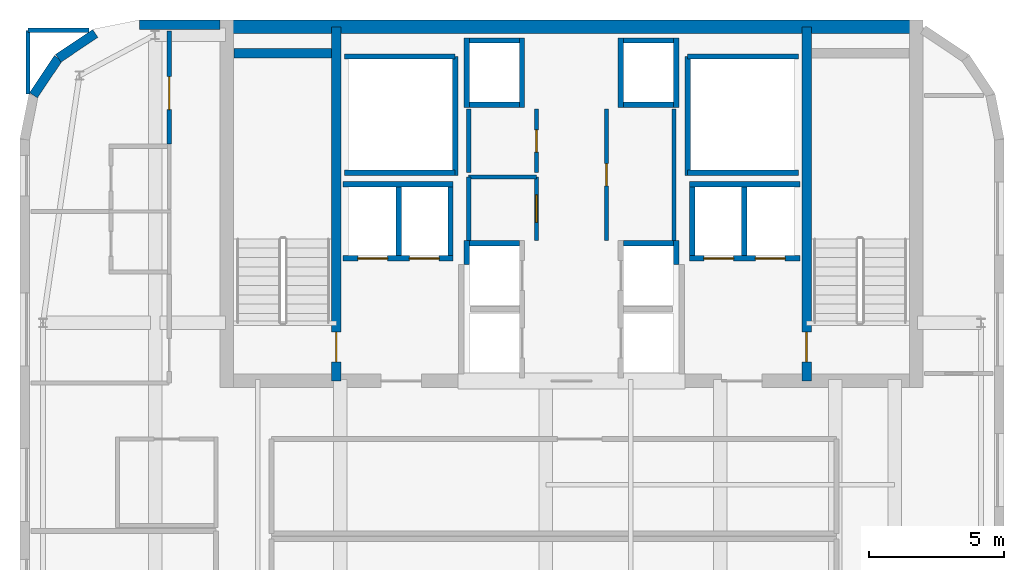
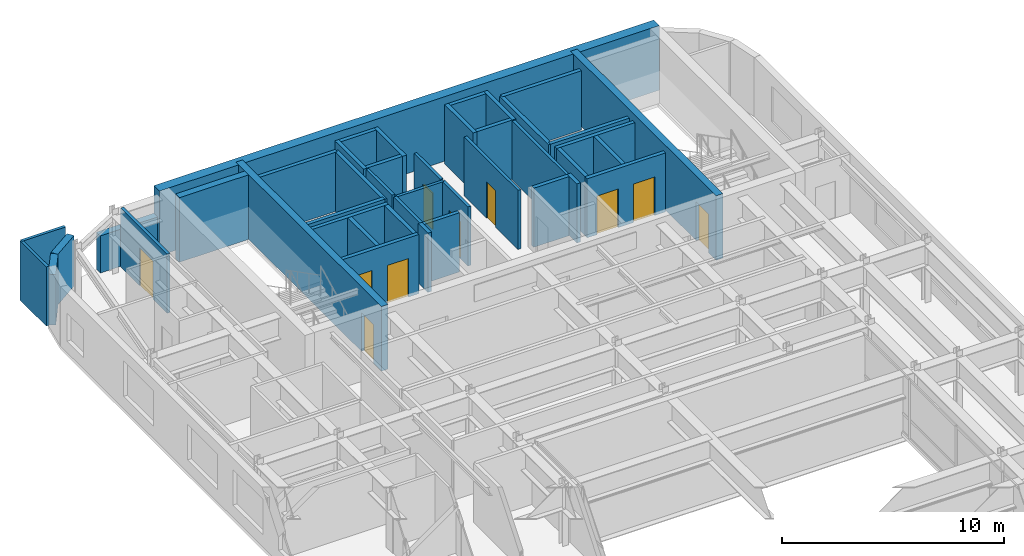
# One storey, part 19 of 21: 43 walls, 10 doors, 10 openings.
"""IFC4 building model written with IfcOpenShell, lengths in metres."""

from ifc_helpers import new_model, si_unit, direction, frame, frame_2d, origin, place, context, subcontext, project, spatial, rectangle, extrude, source, transform, mapped, material, layer, layer_set, type_object, type_shapes, element, fill, save


model = new_model("IFC4")

# Units and contexts
model_context = context("Model", 3, precision=1e-05, world=origin(), true_north=direction((0.0, 1.0)))
body_context = subcontext(model_context, "Body", "Model", "MODEL_VIEW")
ifc_project = project(units=[si_unit("LENGTHUNIT", "METRE"), si_unit("AREAUNIT", "SQUARE_METRE"), si_unit("VOLUMEUNIT", "CUBIC_METRE"), si_unit("PLANEANGLEUNIT", "RADIAN"), si_unit("MASSUNIT", "GRAM", prefix="KILO")], contexts=[model_context])

# Site, building, storey
site_placement = place(None, origin())
site = spatial("IfcSite", under=ifc_project, at=site_placement, CompositionType="ELEMENT")
building_placement = place(site_placement, origin())
building = spatial("IfcBuilding", under=site, at=building_placement, Name="Tolvann Quenvar Hotel", CompositionType="ELEMENT")
storey_placement = place(building_placement, frame((0.0, 0.0, 266.5)))
storey = spatial("IfcBuildingStorey", under=building, at=storey_placement, Name="L71", CompositionType="ELEMENT", Elevation=266.5)

# Wall
ifc_material_1 = material(Name="Concrete N50 (50 MPa)", Category="concrete")
ifc_layer_1 = layer(ifc_material_1, 0.5)
ifc_layer_set_1 = layer_set([ifc_layer_1], Name="Concrete N50 (50 MPa)")
wall_type_1 = type_object("IfcWallType", Name="WALL_CORE_500", PredefinedType="SHEAR", material=ifc_layer_set_1)
wall_1_placement = place(storey_placement, frame((10.0, 44.949951171875, 0.0), z_axis=(0.0, 0.0, 1.0), x_axis=(1.0, 0.0, 0.0)))
element("IfcWall", 1, at=wall_1_placement, inside=storey, type_object=wall_type_1, Name="Rear Core N Shear Wall (L71)", PredefinedType="SHEAR", context=body_context, shape_type="SweptSolid", body=[
    extrude(rectangle(XDim=26.0, YDim=0.5, at=frame_2d((13.0, 0.0))), origin(), (0.0, 0.0, 1.0), 3.550048828125),
])

# Wall, opening, door
ifc_material_2 = material(Name="Concrete S65 (65 MPa)", Category="concrete")
ifc_layer_2 = layer(ifc_material_2, 0.35009765625)
ifc_layer_set_2 = layer_set([ifc_layer_2], Name="Concrete S65 (65 MPa)")
wall_type_2 = type_object("IfcWallType", Name="WALL_CORE_INT_350", PredefinedType="SHEAR", material=ifc_layer_set_2)
wall_2_placement = place(storey_placement, frame((14.300048828125, 31.85009765625, 0.0), z_axis=(0.0, 0.0, 1.0), x_axis=(0.0, 1.0, 0.0)))
wall_2 = element("IfcWall", 2, at=wall_2_placement, inside=storey, type_object=wall_type_2, Name="Core Internal Web Shear Wall WEB-W (L71)", PredefinedType="SHEAR", context=body_context, shape_type="SweptSolid", body=[
    extrude(rectangle(XDim=13.099853515625, YDim=0.35009765625, at=frame_2d((6.5498046875, 0.0))), origin(), (0.0, 0.0, 1.0), 3.550048828125),
])
opening_1_placement = place(wall_2_placement, frame((0.699951171875, 0.0, 0.0)))
opening_1 = element("IfcOpeningElement", 3, at=opening_1_placement, cuts=wall_2, Name="Opening FD-120", PredefinedType="OPENING", context=body_context, shape_type="SweptSolid", body=[
    extrude(rectangle(XDim=1.10009765625, YDim=2.1201171875, at=frame_2d((0.550048828125, 1.06005859375))), frame((0.0, 0.18505859375, 0.0), z_axis=(0.0, -1.0, 0.0), x_axis=(1.0, 0.0, 0.0)), (0.0, 0.0, 1.0), 0.3701171875),
])
ifc_material_3 = material(Name="Pressed galvanised steel fire-rated door set", Category="steel")
door_type_1 = type_object("IfcDoorType", Name="DOOR_FIRE_STAIR_1100", OperationType="NOTDEFINED", PredefinedType="DOOR", material=ifc_material_3)
shared_shape_1 = source(origin(), body_context, "Body", "SweptSolid", [
    extrude(rectangle(XDim=1.10009765625, YDim=2.1201171875, at=frame_2d((0.550048828125, 1.06005859375))), frame((0.0, 0.02490234375, 0.0), z_axis=(0.0, -1.0, 0.0), x_axis=(1.0, 0.0, 0.0)), (0.0, 0.0, 1.0), 0.050048828125),
])
type_shapes(door_type_1, [shared_shape_1])
door_1_placement = place(opening_1_placement, origin())
door_1 = element("IfcDoor", 4, at=door_1_placement, inside=storey, type_object=door_type_1, Name="Exit Stair ST-C1 Fire Door (L71)", OperationType="SINGLE_SWING_LEFT", OverallHeight=2.1201171875, OverallWidth=1.10009765625, PredefinedType="DOOR", context=body_context, shape_type="MappedRepresentation", body=[
    mapped(shared_shape_1, transform((0.0, 0.0, 0.0), x_axis=(1.0, 0.0, 0.0), y_axis=(0.0, 1.0, 0.0), z_axis=(0.0, 0.0, 1.0), scale=1.0)),
])
fill(opening_1, door_1)

wall_3_placement = place(storey_placement, frame((31.699951171875, 31.85009765625, 0.0), z_axis=(0.0, 0.0, 1.0), x_axis=(0.0, 1.0, 0.0)))
wall_3 = element("IfcWall", 5, at=wall_3_placement, inside=storey, type_object=wall_type_2, Name="Core Internal Web Shear Wall WEB-E (L71)", PredefinedType="SHEAR", context=body_context, shape_type="SweptSolid", body=[
    extrude(rectangle(XDim=13.099853515625, YDim=0.35009765625, at=frame_2d((6.5498046875, 0.0))), origin(), (0.0, 0.0, 1.0), 3.550048828125),
])
opening_2_placement = place(wall_3_placement, frame((1.800048828125, 0.0, 0.0), z_axis=(0.0, 0.0, 1.0), x_axis=(-1.0, 0.0, 0.0)))
opening_2 = element("IfcOpeningElement", 6, at=opening_2_placement, cuts=wall_3, Name="Opening FD-120", PredefinedType="OPENING", context=body_context, shape_type="SweptSolid", body=[
    extrude(rectangle(XDim=1.10009765625, YDim=2.1201171875, at=frame_2d((0.550048828125, 1.06005859375))), frame((0.0, 0.18505859375, 0.0), z_axis=(0.0, -1.0, 0.0), x_axis=(1.0, 0.0, 0.0)), (0.0, 0.0, 1.0), 0.3701171875),
])
door_2_placement = place(opening_2_placement, origin())
door_2 = element("IfcDoor", 7, at=door_2_placement, inside=storey, type_object=door_type_1, Name="Exit Stair ST-C2 Fire Door (L71)", OperationType="SINGLE_SWING_RIGHT", OverallHeight=2.1201171875, OverallWidth=1.10009765625, PredefinedType="DOOR", context=body_context, shape_type="MappedRepresentation", body=[
    mapped(shared_shape_1, transform((0.0, 0.0, 0.0), x_axis=(1.0, 0.0, 0.0), y_axis=(0.0, 1.0, 0.0), z_axis=(0.0, 0.0, 1.0), scale=1.0)),
])
fill(opening_2, door_2)

# Walls
wall_4_placement = place(storey_placement, frame((10.52001953125, 43.97509765625, 0.0), z_axis=(0.0, 0.0, 1.0), x_axis=(1.0, 0.0, 0.0)))
element("IfcWall", 8, at=wall_4_placement, inside=storey, type_object=wall_type_2, Name="Core Stair North Closing Shear Wall STC1-N (L71)", PredefinedType="SHEAR", context=body_context, shape_type="SweptSolid", body=[
    extrude(rectangle(XDim=3.60009765625, YDim=0.35009765625, at=frame_2d((1.800048828125, 0.0))), origin(), (0.0, 0.0, 1.0), 3.550048828125),
])
ifc_material_4 = material(Name="Kiln-fired red and buff architectural clay brickwork and terracotta masonry", Category="masonry")
ifc_layer_3 = layer(ifc_material_4, 0.35009765625)
ifc_layer_set_3 = layer_set([ifc_layer_3], Name="Kiln-fired red and buff architectural clay brickwork and terracotta masonry")
wall_type_3 = type_object("IfcWallType", Name="WALL_EXT_BRICK_350", PredefinedType="SOLIDWALL", material=ifc_layer_set_3)
wall_5_placement = place(storey_placement, frame((9.99609375, 45.02490234375, 0.0), z_axis=(0.0, 0.0, 1.0), x_axis=(-1.0, 0.0, 0.0)))
element("IfcWall", 9, at=wall_5_placement, inside=storey, type_object=wall_type_3, Name="Exterior Chicago Brick Wall L71-E18NW", PredefinedType="SOLIDWALL", context=body_context, shape_type="SweptSolid", body=[
    extrude(rectangle(XDim=2.97900390625, YDim=0.35009765625, at=frame_2d((1.489501953125, 0.0))), origin(), (0.0, 0.0, 1.0), 2.0400390625),
])
for number, where, z_axis, x_axis, name in (
    (10, (5.384521484375, 44.7001953125, 0.0), (0.0, 0.0, 1.0), (-0.831502623162, -0.555520825599, 0.0), "Exterior Chicago Brick Wall L71-E20"),
    (11, (4.014892578125, 43.78515625, 0.0), (0.0, 0.0, 1.0), (-0.555623290322, -0.831434158098, 0.0), "Exterior Chicago Brick Wall L71-E21"),
):
    element("IfcWall", number, at=place(storey_placement, frame(where, z_axis=z_axis, x_axis=x_axis)), inside=storey, type_object=wall_type_3, Name=name, PredefinedType="SOLIDWALL", context=body_context, shape_type="SweptSolid", body=[
        extrude(rectangle(XDim=1.647216796875, YDim=0.35009765625, at=frame_2d((0.82373046875, 0.0))), origin(), (0.0, 0.0, 1.0), 2.780029296875),
    ])

# Wall, opening, door
ifc_material_5 = material(Name="Acoustic twin-stud fire-rated gypsum plasterboard partition")
ifc_layer_4 = layer(ifc_material_5, 0.14990234375)
ifc_layer_set_4 = layer_set([ifc_layer_4], Name="Acoustic twin-stud fire-rated gypsum plasterboard partition")
wall_type_4 = type_object("IfcWallType", Name="WALL_PART_SUITE_150", PredefinedType="PARTITIONING", material=ifc_layer_set_4)
wall_6_placement = place(storey_placement, frame((21.699951171875, 37.050048828125, 0.0), z_axis=(0.0, 0.0, 1.0), x_axis=(0.0, 1.0, 0.0)))
wall_6 = element("IfcWall", 12, at=wall_6_placement, inside=storey, type_object=wall_type_4, Name="Interior Partition PT-SPC-L71-RECPM-1-ENT", PredefinedType="PARTITIONING", context=body_context, shape_type="SweptSolid", body=[
    extrude(rectangle(XDim=2.349853515625, YDim=0.14990234375, at=frame_2d((1.1748046875, 0.0))), origin(), (0.0, 0.0, 1.0), 3.25),
])
opening_3_placement = place(wall_6_placement, frame((0.6650390625, 0.0, 0.0)))
opening_3 = element("IfcOpeningElement", 13, at=opening_3_placement, cuts=wall_6, Name="Opening HD-01", PredefinedType="OPENING", context=body_context, shape_type="SweptSolid", body=[
    extrude(rectangle(XDim=1.02001953125, YDim=2.030029296875, at=frame_2d((0.510009765625, 1.01513671875))), frame((0.0, 0.0849609375, 0.0), z_axis=(0.0, -1.0, 0.0), x_axis=(1.0, 0.0, 0.0)), (0.0, 0.0, 1.0), 0.169921875),
])
door_type_2 = type_object("IfcDoorType", Name="DOOR_BOH_1020", OperationType="NOTDEFINED", PredefinedType="DOOR", material=ifc_material_3)
shared_shape_2 = source(origin(), body_context, "Body", "SweptSolid", [
    extrude(rectangle(XDim=1.02001953125, YDim=2.030029296875, at=frame_2d((0.510009765625, 1.01513671875))), frame((0.0, 0.02490234375, 0.0), z_axis=(0.0, -1.0, 0.0), x_axis=(1.0, 0.0, 0.0)), (0.0, 0.0, 1.0), 0.050048828125),
])
type_shapes(door_type_2, [shared_shape_2])
door_3_placement = place(opening_3_placement, origin())
door_3 = element("IfcDoor", 14, at=door_3_placement, inside=storey, type_object=door_type_2, Name="Interior Door DOOR-SPC-L71-RECPM-1", OperationType="SINGLE_SWING_RIGHT", OverallHeight=2.030029296875, OverallWidth=1.02001953125, PredefinedType="DOOR", context=body_context, shape_type="MappedRepresentation", body=[
    mapped(shared_shape_2, transform((0.0, 0.0, 0.0), x_axis=(1.0, 0.0, 0.0), y_axis=(0.0, 1.0, 0.0), z_axis=(0.0, 0.0, 1.0), scale=1.0)),
])
fill(opening_3, door_3)

# Walls
wall_7_placement = place(storey_placement, frame((19.199951171875, 39.39990234375, 0.0), z_axis=(0.0, 0.0, 1.0), x_axis=(1.0, 0.0, 0.0)))
element("IfcWall", 15, at=wall_7_placement, inside=storey, type_object=wall_type_4, Name="Interior Partition PT-SPC-L71-RECPM-1-N", PredefinedType="PARTITIONING", context=body_context, shape_type="SweptSolid", body=[
    extrude(rectangle(XDim=2.5, YDim=0.14990234375, at=frame_2d((1.25, 0.0))), origin(), (0.0, 0.0, 1.0), 3.25),
])
wall_8_placement = place(storey_placement, frame((19.199951171875, 37.0400390625, 0.0), z_axis=(0.0, 0.0, 1.0), x_axis=(0.0, 1.0, 0.0)))
element("IfcWall", 16, at=wall_8_placement, inside=storey, type_object=wall_type_4, Name="Interior Partition PT-SPC-L71-RECPM-1-W", PredefinedType="PARTITIONING", context=body_context, shape_type="SweptSolid", body=[
    extrude(rectangle(XDim=2.35986328125, YDim=0.14990234375, at=frame_2d((1.179931640625, 0.0))), origin(), (0.0, 0.0, 1.0), 3.25),
])

# Wall, opening, door
wall_9_placement = place(storey_placement, frame((21.699951171875, 39.550048828125, 0.0), z_axis=(0.0, 0.0, 1.0), x_axis=(0.0, 1.0, 0.0)))
wall_9 = element("IfcWall", 17, at=wall_9_placement, inside=storey, type_object=wall_type_4, Name="Interior Partition PT-SPC-L71-RECPM-2-ENT", PredefinedType="PARTITIONING", context=body_context, shape_type="SweptSolid", body=[
    extrude(rectangle(XDim=2.349853515625, YDim=0.14990234375, at=frame_2d((1.1748046875, 0.0))), origin(), (0.0, 0.0, 1.0), 3.25),
])
opening_4_placement = place(wall_9_placement, frame((0.764892578125, 0.0, 0.0)))
opening_4 = element("IfcOpeningElement", 18, at=opening_4_placement, cuts=wall_9, Name="Opening HD-02", PredefinedType="OPENING", context=body_context, shape_type="SweptSolid", body=[
    extrude(rectangle(XDim=0.820068359375, YDim=2.010009765625, at=frame_2d((0.41015625, 1.0048828125))), frame((0.0, 0.0849609375, 0.0), z_axis=(0.0, -1.0, 0.0), x_axis=(1.0, 0.0, 0.0)), (0.0, 0.0, 1.0), 0.169921875),
])
door_type_3 = type_object("IfcDoorType", Name="DOOR_STORE_820", OperationType="NOTDEFINED", PredefinedType="DOOR", material=ifc_material_3)
shared_shape_3 = source(origin(), body_context, "Body", "SweptSolid", [
    extrude(rectangle(XDim=0.820068359375, YDim=2.010009765625, at=frame_2d((0.41015625, 1.0048828125))), frame((0.0, 0.02490234375, 0.0), z_axis=(0.0, -1.0, 0.0), x_axis=(1.0, 0.0, 0.0)), (0.0, 0.0, 1.0), 0.050048828125),
])
type_shapes(door_type_3, [shared_shape_3])
door_4_placement = place(opening_4_placement, origin())
door_4 = element("IfcDoor", 19, at=door_4_placement, inside=storey, type_object=door_type_3, Name="Interior Door DOOR-SPC-L71-RECPM-2", OperationType="SINGLE_SWING_LEFT", OverallHeight=2.010009765625, OverallWidth=0.820068359375, PredefinedType="DOOR", context=body_context, shape_type="MappedRepresentation", body=[
    mapped(shared_shape_3, transform((0.0, 0.0, 0.0), x_axis=(1.0, 0.0, 0.0), y_axis=(0.0, 1.0, 0.0), z_axis=(0.0, 0.0, 1.0), scale=1.0)),
])
fill(opening_4, door_4)

# Wall
wall_10_placement = place(storey_placement, frame((19.199951171875, 39.550048828125, 0.0), z_axis=(0.0, 0.0, 1.0), x_axis=(0.0, 1.0, 0.0)))
element("IfcWall", 20, at=wall_10_placement, inside=storey, type_object=wall_type_4, Name="Interior Partition PT-SPC-L71-RECPM-2-W", PredefinedType="PARTITIONING", context=body_context, shape_type="SweptSolid", body=[
    extrude(rectangle(XDim=2.349853515625, YDim=0.14990234375, at=frame_2d((1.1748046875, 0.0))), origin(), (0.0, 0.0, 1.0), 3.25),
])

# Wall, opening, door
wall_11_placement = place(storey_placement, frame((24.300048828125, 37.050048828125, 0.0), z_axis=(0.0, 0.0, 1.0), x_axis=(0.0, 1.0, 0.0)))
wall_11 = element("IfcWall", 21, at=wall_11_placement, inside=storey, type_object=wall_type_4, Name="Interior Partition PT-SPC-L71-RECPM-3-ENT", PredefinedType="PARTITIONING", context=body_context, shape_type="SweptSolid", body=[
    extrude(rectangle(XDim=4.849853515625, YDim=0.14990234375, at=frame_2d((2.4248046875, 0.0))), origin(), (0.0, 0.0, 1.0), 3.25),
])
opening_5_placement = place(wall_11_placement, frame((2.014892578125, 0.0, 0.0)))
opening_5 = element("IfcOpeningElement", 22, at=opening_5_placement, cuts=wall_11, Name="Opening HD-02", PredefinedType="OPENING", context=body_context, shape_type="SweptSolid", body=[
    extrude(rectangle(XDim=0.820068359375, YDim=2.010009765625, at=frame_2d((0.41015625, 1.0048828125))), frame((0.0, 0.0849609375, 0.0), z_axis=(0.0, -1.0, 0.0), x_axis=(1.0, 0.0, 0.0)), (0.0, 0.0, 1.0), 0.169921875),
])
door_5_placement = place(opening_5_placement, origin())
door_5 = element("IfcDoor", 23, at=door_5_placement, inside=storey, type_object=door_type_3, Name="Interior Door DOOR-SPC-L71-RECPM-3", OperationType="SINGLE_SWING_RIGHT", OverallHeight=2.010009765625, OverallWidth=0.820068359375, PredefinedType="DOOR", context=body_context, shape_type="MappedRepresentation", body=[
    mapped(shared_shape_3, transform((0.0, 0.0, 0.0), x_axis=(1.0, 0.0, 0.0), y_axis=(0.0, 1.0, 0.0), z_axis=(0.0, 0.0, 1.0), scale=1.0)),
])
fill(opening_5, door_5)

# Wall
wall_12_placement = place(storey_placement, frame((26.800048828125, 37.0400390625, 0.0), z_axis=(0.0, 0.0, 1.0), x_axis=(0.0, 1.0, 0.0)))
element("IfcWall", 24, at=wall_12_placement, inside=storey, type_object=wall_type_4, Name="Interior Partition PT-SPC-L71-RECPM-3-E", PredefinedType="PARTITIONING", context=body_context, shape_type="SweptSolid", body=[
    extrude(rectangle(XDim=4.85986328125, YDim=0.14990234375, at=frame_2d((2.429931640625, 0.0))), origin(), (0.0, 0.0, 1.0), 3.25),
])

# Wall, opening, door
wall_13_placement = place(storey_placement, frame((8.1201171875, 40.610107421875, 0.0), z_axis=(0.0, 0.0, 1.0), x_axis=(0.0, 1.0, 0.0)))
wall_13 = element("IfcWall", 25, at=wall_13_placement, inside=storey, type_object=wall_type_4, Name="Interior Partition PT-SPC-L71-RM-PNW02-ENT", PredefinedType="PARTITIONING", context=body_context, shape_type="SweptSolid", body=[
    extrude(rectangle(XDim=4.184814453125, YDim=0.14990234375, at=frame_2d((2.09228515625, 0.0))), origin(), (0.0, 0.0, 1.0), 3.25),
])
opening_6_placement = place(wall_13_placement, frame((1.27490234375, 0.0, 0.0)))
opening_6 = element("IfcOpeningElement", 26, at=opening_6_placement, cuts=wall_13, Name="Opening SD-02", PredefinedType="OPENING", context=body_context, shape_type="SweptSolid", body=[
    extrude(rectangle(XDim=1.219970703125, YDim=2.080078125, at=frame_2d((0.60986328125, 1.0400390625))), frame((0.0, 0.0849609375, 0.0), z_axis=(0.0, -1.0, 0.0), x_axis=(1.0, 0.0, 0.0)), (0.0, 0.0, 1.0), 0.169921875),
])
ifc_material_6 = material(Name="Solid-core American oak acoustic fire door leaf in steel frame", Category="steel")
door_type_4 = type_object("IfcDoorType", Name="DOOR_VIP_1220", OperationType="NOTDEFINED", PredefinedType="DOOR", material=ifc_material_6)
shared_shape_4 = source(origin(), body_context, "Body", "SweptSolid", [
    extrude(rectangle(XDim=1.219970703125, YDim=2.080078125, at=frame_2d((0.60986328125, 1.0400390625))), frame((0.0, 0.02490234375, 0.0), z_axis=(0.0, -1.0, 0.0), x_axis=(1.0, 0.0, 0.0)), (0.0, 0.0, 1.0), 0.050048828125),
])
type_shapes(door_type_4, [shared_shape_4])
door_6_placement = place(opening_6_placement, origin())
door_6 = element("IfcDoor", 27, at=door_6_placement, inside=storey, type_object=door_type_4, Name="Interior Door DOOR-SPC-L71-RM-PNW02", OperationType="SINGLE_SWING_RIGHT", OverallHeight=2.080078125, OverallWidth=1.219970703125, PredefinedType="DOOR", context=body_context, shape_type="MappedRepresentation", body=[
    mapped(shared_shape_4, transform((0.0, 0.0, 0.0), x_axis=(1.0, 0.0, 0.0), y_axis=(0.0, 1.0, 0.0), z_axis=(0.0, 0.0, 1.0), scale=1.0)),
])
fill(opening_6, door_6)

# Walls
wall_14_placement = place(storey_placement, frame((2.89990234375, 44.820068359375, 0.0), z_axis=(0.0, 0.0, 1.0), x_axis=(1.0, 0.0, 0.0)))
element("IfcWall", 28, at=wall_14_placement, inside=storey, type_object=wall_type_4, Name="Interior Partition PT-SPC-L71-RM-PNW02-E5", PredefinedType="PARTITIONING", context=body_context, shape_type="SweptSolid", body=[
    extrude(rectangle(XDim=2.25, YDim=0.14990234375, at=frame_2d((1.125, 0.0))), origin(), (0.0, 0.0, 1.0), 3.25),
])
wall_15_placement = place(storey_placement, frame((2.89990234375, 42.455078125, 0.0), z_axis=(0.0, 0.0, 1.0), x_axis=(0.0, 1.0, 0.0)))
element("IfcWall", 29, at=wall_15_placement, inside=storey, type_object=wall_type_4, Name="Interior Partition PT-SPC-L71-RM-PNW02-E6", PredefinedType="PARTITIONING", context=body_context, shape_type="SweptSolid", body=[
    extrude(rectangle(XDim=2.364990234375, YDim=0.14990234375, at=frame_2d((1.1826171875, 0.0))), origin(), (0.0, 0.0, 1.0), 3.25),
])
ifc_material_7 = material(Name="Concrete N40 (40 MPa)", Category="concrete")
ifc_layer_5 = layer(ifc_material_7, 0.199951171875)
ifc_layer_set_5 = layer_set([ifc_layer_5], Name="Concrete N40 (40 MPa)")
wall_type_5 = type_object("IfcWallType", Name="WALL_SHAFT_200", PredefinedType="SOLIDWALL", material=ifc_layer_set_5)
wall_16_placement = place(storey_placement, frame((18.699951171875, 39.449951171875, 0.0), z_axis=(0.0, 0.0, 1.0), x_axis=(0.0, 1.0, 0.0)))
element("IfcWall", 30, at=wall_16_placement, inside=storey, type_object=wall_type_5, Name="Service Riser W Shaft Wall IN (L71)", PredefinedType="SOLIDWALL", context=body_context, shape_type="SweptSolid", body=[
    extrude(rectangle(XDim=4.400146484375, YDim=0.199951171875, at=frame_2d((2.2001953125, 0.0))), origin(), (0.0, 0.0, 1.0), 3.25),
])
for number, where, z_axis, x_axis, name in (
    (31, (14.60009765625, 39.550048828125, 0.0), (0.0, 0.0, 1.0), (1.0, 0.0, 0.0), "Service Riser W Shaft Wall S (L71)"),
    (32, (14.60009765625, 43.85009765625, 0.0), (0.0, 0.0, 1.0), (1.0, 0.0, 0.0), "Service Riser W Shaft Wall N (L71)"),
):
    element("IfcWall", number, at=place(storey_placement, frame(where, z_axis=z_axis, x_axis=x_axis)), inside=storey, type_object=wall_type_5, Name=name, PredefinedType="SOLIDWALL", context=body_context, shape_type="SweptSolid", body=[
        extrude(rectangle(XDim=4.099853515625, YDim=0.199951171875, at=frame_2d((2.0498046875, 0.0))), origin(), (0.0, 0.0, 1.0), 3.25),
    ])
wall_17_placement = place(storey_placement, frame((27.300048828125, 39.449951171875, 0.0), z_axis=(0.0, 0.0, 1.0), x_axis=(0.0, 1.0, 0.0)))
element("IfcWall", 33, at=wall_17_placement, inside=storey, type_object=wall_type_5, Name="Service Riser E Shaft Wall IN (L71)", PredefinedType="SOLIDWALL", context=body_context, shape_type="SweptSolid", body=[
    extrude(rectangle(XDim=4.400146484375, YDim=0.199951171875, at=frame_2d((2.2001953125, 0.0))), origin(), (0.0, 0.0, 1.0), 3.25),
])
for number, where, z_axis, x_axis, name in (
    (34, (27.300048828125, 39.550048828125, 0.0), (0.0, 0.0, 1.0), (1.0, 0.0, 0.0), "Service Riser E Shaft Wall S (L71)"),
    (35, (27.300048828125, 43.85009765625, 0.0), (0.0, 0.0, 1.0), (1.0, 0.0, 0.0), "Service Riser E Shaft Wall N (L71)"),
):
    element("IfcWall", number, at=place(storey_placement, frame(where, z_axis=z_axis, x_axis=x_axis)), inside=storey, type_object=wall_type_5, Name=name, PredefinedType="SOLIDWALL", context=body_context, shape_type="SweptSolid", body=[
        extrude(rectangle(XDim=4.099853515625, YDim=0.199951171875, at=frame_2d((2.0498046875, 0.0))), origin(), (0.0, 0.0, 1.0), 3.25),
    ])
wall_18_placement = place(storey_placement, frame((19.1298828125, 36.159912109375, 0.0), z_axis=(0.0, 0.0, 1.0), x_axis=(0.0, 1.0, 0.0)))
element("IfcWall", 36, at=wall_18_placement, inside=storey, type_object=wall_type_5, Name="Lift Bank E21.1C1 Hoistway Rear Wall (L71)", PredefinedType="SOLIDWALL", context=body_context, shape_type="SweptSolid", body=[
    extrude(rectangle(XDim=0.880126953125, YDim=0.199951171875, at=frame_2d((0.43994140625, 0.0))), origin(), (0.0, 0.0, 1.0), 3.25),
])
wall_19_placement = place(storey_placement, frame((19.22998046875, 36.93994140625, 0.0), z_axis=(0.0, 0.0, 1.0), x_axis=(1.0, 0.0, 0.0)))
element("IfcWall", 37, at=wall_19_placement, inside=storey, type_object=wall_type_5, Name="Lift Bank E21.1C1 Hoistway Cheek Wall 2 (L71)", PredefinedType="SOLIDWALL", context=body_context, shape_type="SweptSolid", body=[
    extrude(rectangle(XDim=1.840087890625, YDim=0.199951171875, at=frame_2d((0.919921875, 0.0))), origin(), (0.0, 0.0, 1.0), 3.25),
])
for number, where, z_axis, x_axis, name in (
    (38, (21.169921875, 41.9599609375, 0.0), (0.0, 0.0, 1.0), (0.0, 1.0, 0.0), "Lift Bank E21.1C2 Hoistway Front Wall (L71)"),
    (39, (19.1298828125, 41.9599609375, 0.0), (0.0, 0.0, 1.0), (0.0, 1.0, 0.0), "Lift Bank E21.1C2 Hoistway Rear Wall (L71)"),
):
    element("IfcWall", number, at=place(storey_placement, frame(where, z_axis=z_axis, x_axis=x_axis)), inside=storey, type_object=wall_type_5, Name=name, PredefinedType="SOLIDWALL", context=body_context, shape_type="SweptSolid", body=[
        extrude(rectangle(XDim=2.580078125, YDim=0.199951171875, at=frame_2d((1.2900390625, 0.0))), origin(), (0.0, 0.0, 1.0), 3.25),
    ])
for number, where, z_axis, x_axis, name in (
    (40, (19.22998046875, 42.06005859375, 0.0), (0.0, 0.0, 1.0), (1.0, 0.0, 0.0), "Lift Bank E21.1C2 Hoistway Cheek Wall 1 (L71)"),
    (41, (19.22998046875, 44.43994140625, 0.0), (0.0, 0.0, 1.0), (1.0, 0.0, 0.0), "Lift Bank E21.1C2 Hoistway Cheek Wall 2 (L71)"),
):
    element("IfcWall", number, at=place(storey_placement, frame(where, z_axis=z_axis, x_axis=x_axis)), inside=storey, type_object=wall_type_5, Name=name, PredefinedType="SOLIDWALL", context=body_context, shape_type="SweptSolid", body=[
        extrude(rectangle(XDim=1.840087890625, YDim=0.199951171875, at=frame_2d((0.919921875, 0.0))), origin(), (0.0, 0.0, 1.0), 3.25),
    ])

# Wall, openings, doors
wall_20_placement = place(storey_placement, frame((27.375, 36.3798828125, 0.0), z_axis=(0.0, 0.0, 1.0), x_axis=(1.0, 0.0, 0.0)))
wall_20 = element("IfcWall", 42, at=wall_20_placement, inside=storey, type_object=wall_type_5, Name="Lift Bank SEC1 Hoistway Front Wall (L71)", PredefinedType="SOLIDWALL", context=body_context, shape_type="SweptSolid", body=[
    extrude(rectangle(XDim=4.074951171875, YDim=0.199951171875, at=frame_2d((2.03759765625, 0.0))), origin(), (0.0, 0.0, 1.0), 3.25),
])
opening_7_placement = place(wall_20_placement, frame((0.52490234375, 0.0, 0.0)))
opening_7 = element("IfcOpeningElement", 43, at=opening_7_placement, cuts=wall_20, Name="Opening LD-01", PredefinedType="OPENING", context=body_context, shape_type="SweptSolid", body=[
    extrude(rectangle(XDim=1.10009765625, YDim=2.1201171875, at=frame_2d((0.550048828125, 1.06005859375))), frame((0.0, 0.10986328125, 0.0), z_axis=(0.0, -1.0, 0.0), x_axis=(1.0, 0.0, 0.0)), (0.0, 0.0, 1.0), 0.219970703125),
])
opening_8_placement = place(wall_20_placement, frame((2.425048828125, 0.0, 0.0)))
opening_8 = element("IfcOpeningElement", 44, at=opening_8_placement, cuts=wall_20, Name="Opening LD-01", PredefinedType="OPENING", context=body_context, shape_type="SweptSolid", body=[
    extrude(rectangle(XDim=1.10009765625, YDim=2.1201171875, at=frame_2d((0.550048828125, 1.06005859375))), frame((0.0, 0.10986328125, 0.0), z_axis=(0.0, -1.0, 0.0), x_axis=(1.0, 0.0, 0.0)), (0.0, 0.0, 1.0), 0.219970703125),
])
ifc_material_8 = material(Name="Brushed 316 stainless steel automatic sliding lift landing door", Category="steel")
door_type_5 = type_object("IfcDoorType", Name="DOOR_LIFT_SLIDE_1100", OperationType="NOTDEFINED", PredefinedType="DOOR", material=ifc_material_8)
shared_shape_5 = source(origin(), body_context, "Body", "SweptSolid", [
    extrude(rectangle(XDim=1.10009765625, YDim=2.1201171875, at=frame_2d((0.550048828125, 1.06005859375))), frame((0.0, 0.02490234375, 0.0), z_axis=(0.0, -1.0, 0.0), x_axis=(1.0, 0.0, 0.0)), (0.0, 0.0, 1.0), 0.050048828125),
])
type_shapes(door_type_5, [shared_shape_5])
door_7_placement = place(opening_7_placement, origin())
door_7 = element("IfcDoor", 45, at=door_7_placement, inside=storey, type_object=door_type_5, Name="Lift SV-2 Sliding Landing Door (L71)", OperationType="SLIDING_TO_LEFT", OverallHeight=2.1201171875, OverallWidth=1.10009765625, PredefinedType="DOOR", context=body_context, shape_type="MappedRepresentation", body=[
    mapped(shared_shape_5, transform((0.0, 0.0, 0.0), x_axis=(1.0, 0.0, 0.0), y_axis=(0.0, 1.0, 0.0), z_axis=(0.0, 0.0, 1.0), scale=1.0)),
])
fill(opening_7, door_7)
door_8_placement = place(opening_8_placement, origin())
door_8 = element("IfcDoor", 46, at=door_8_placement, inside=storey, type_object=door_type_5, Name="Lift FF-2 Sliding Landing Door (L71)", OperationType="SLIDING_TO_RIGHT", OverallHeight=2.1201171875, OverallWidth=1.10009765625, PredefinedType="DOOR", context=body_context, shape_type="MappedRepresentation", body=[
    mapped(shared_shape_5, transform((0.0, 0.0, 0.0), x_axis=(1.0, 0.0, 0.0), y_axis=(0.0, 1.0, 0.0), z_axis=(0.0, 0.0, 1.0), scale=1.0)),
])
fill(opening_8, door_8)

# Walls
wall_21_placement = place(storey_placement, frame((27.375, 39.1201171875, 0.0), z_axis=(0.0, 0.0, 1.0), x_axis=(1.0, 0.0, 0.0)))
element("IfcWall", 47, at=wall_21_placement, inside=storey, type_object=wall_type_5, Name="Lift Bank SEC1 Hoistway Rear Wall (L71)", PredefinedType="SOLIDWALL", context=body_context, shape_type="SweptSolid", body=[
    extrude(rectangle(XDim=4.074951171875, YDim=0.199951171875, at=frame_2d((2.03759765625, 0.0))), origin(), (0.0, 0.0, 1.0), 3.25),
])
for number, where, z_axis, x_axis, name in (
    (48, (27.47509765625, 36.47998046875, 0.0), (0.0, 0.0, 1.0), (0.0, 1.0, 0.0), "Lift Bank SEC1 Hoistway Cheek Wall 1 (L71)"),
    (49, (29.387451171875, 36.47998046875, 0.0), (0.0, 0.0, 1.0), (0.0, 1.0, 0.0), "Lift Bank SEC1 Divider Wall 1 (L71)"),
):
    element("IfcWall", number, at=place(storey_placement, frame(where, z_axis=z_axis, x_axis=x_axis)), inside=storey, type_object=wall_type_5, Name=name, PredefinedType="SOLIDWALL", context=body_context, shape_type="SweptSolid", body=[
        extrude(rectangle(XDim=2.5400390625, YDim=0.199951171875, at=frame_2d((1.27001953125, 0.0))), origin(), (0.0, 0.0, 1.0), 3.25),
    ])

# Wall, openings, doors
wall_22_placement = place(storey_placement, frame((14.550048828125, 36.3798828125, 0.0), z_axis=(0.0, 0.0, 1.0), x_axis=(1.0, 0.0, 0.0)))
wall_22 = element("IfcWall", 50, at=wall_22_placement, inside=storey, type_object=wall_type_5, Name="Lift Bank SWC1 Hoistway Front Wall (L71)", PredefinedType="SOLIDWALL", context=body_context, shape_type="SweptSolid", body=[
    extrude(rectangle(XDim=4.074951171875, YDim=0.199951171875, at=frame_2d((2.03759765625, 0.0))), origin(), (0.0, 0.0, 1.0), 3.25),
])
opening_9_placement = place(wall_22_placement, frame((0.550048828125, 0.0, 0.0)))
opening_9 = element("IfcOpeningElement", 51, at=opening_9_placement, cuts=wall_22, Name="Opening LD-01", PredefinedType="OPENING", context=body_context, shape_type="SweptSolid", body=[
    extrude(rectangle(XDim=1.10009765625, YDim=2.1201171875, at=frame_2d((0.550048828125, 1.06005859375))), frame((0.0, 0.10986328125, 0.0), z_axis=(0.0, -1.0, 0.0), x_axis=(1.0, 0.0, 0.0)), (0.0, 0.0, 1.0), 0.219970703125),
])
opening_10_placement = place(wall_22_placement, frame((2.449951171875, 0.0, 0.0)))
opening_10 = element("IfcOpeningElement", 52, at=opening_10_placement, cuts=wall_22, Name="Opening LD-01", PredefinedType="OPENING", context=body_context, shape_type="SweptSolid", body=[
    extrude(rectangle(XDim=1.10009765625, YDim=2.1201171875, at=frame_2d((0.550048828125, 1.06005859375))), frame((0.0, 0.10986328125, 0.0), z_axis=(0.0, -1.0, 0.0), x_axis=(1.0, 0.0, 0.0)), (0.0, 0.0, 1.0), 0.219970703125),
])
door_9_placement = place(opening_9_placement, origin())
door_9 = element("IfcDoor", 53, at=door_9_placement, inside=storey, type_object=door_type_5, Name="Lift FF-1 Sliding Landing Door (L71)", OperationType="SLIDING_TO_LEFT", OverallHeight=2.1201171875, OverallWidth=1.10009765625, PredefinedType="DOOR", context=body_context, shape_type="MappedRepresentation", body=[
    mapped(shared_shape_5, transform((0.0, 0.0, 0.0), x_axis=(1.0, 0.0, 0.0), y_axis=(0.0, 1.0, 0.0), z_axis=(0.0, 0.0, 1.0), scale=1.0)),
])
fill(opening_9, door_9)
door_10_placement = place(opening_10_placement, origin())
door_10 = element("IfcDoor", 54, at=door_10_placement, inside=storey, type_object=door_type_5, Name="Lift SV-1 Sliding Landing Door (L71)", OperationType="SLIDING_TO_RIGHT", OverallHeight=2.1201171875, OverallWidth=1.10009765625, PredefinedType="DOOR", context=body_context, shape_type="MappedRepresentation", body=[
    mapped(shared_shape_5, transform((0.0, 0.0, 0.0), x_axis=(1.0, 0.0, 0.0), y_axis=(0.0, 1.0, 0.0), z_axis=(0.0, 0.0, 1.0), scale=1.0)),
])
fill(opening_10, door_10)

# Walls
wall_23_placement = place(storey_placement, frame((14.550048828125, 39.1201171875, 0.0), z_axis=(0.0, 0.0, 1.0), x_axis=(1.0, 0.0, 0.0)))
element("IfcWall", 55, at=wall_23_placement, inside=storey, type_object=wall_type_5, Name="Lift Bank SWC1 Hoistway Rear Wall (L71)", PredefinedType="SOLIDWALL", context=body_context, shape_type="SweptSolid", body=[
    extrude(rectangle(XDim=4.074951171875, YDim=0.199951171875, at=frame_2d((2.03759765625, 0.0))), origin(), (0.0, 0.0, 1.0), 3.25),
])
for number, where, z_axis, x_axis, name in (
    (56, (18.52490234375, 36.47998046875, 0.0), (0.0, 0.0, 1.0), (0.0, 1.0, 0.0), "Lift Bank SWC1 Hoistway Cheek Wall 2 (L71)"),
    (57, (16.612548828125, 36.47998046875, 0.0), (0.0, 0.0, 1.0), (0.0, 1.0, 0.0), "Lift Bank SWC1 Divider Wall 1 (L71)"),
):
    element("IfcWall", number, at=place(storey_placement, frame(where, z_axis=z_axis, x_axis=x_axis)), inside=storey, type_object=wall_type_5, Name=name, PredefinedType="SOLIDWALL", context=body_context, shape_type="SweptSolid", body=[
        extrude(rectangle(XDim=2.5400390625, YDim=0.199951171875, at=frame_2d((1.27001953125, 0.0))), origin(), (0.0, 0.0, 1.0), 3.25),
    ])
wall_24_placement = place(storey_placement, frame((26.8701171875, 36.159912109375, 0.0), z_axis=(0.0, 0.0, 1.0), x_axis=(0.0, 1.0, 0.0)))
element("IfcWall", 58, at=wall_24_placement, inside=storey, type_object=wall_type_5, Name="Lift Bank W24.9C1 Hoistway Rear Wall (L71)", PredefinedType="SOLIDWALL", context=body_context, shape_type="SweptSolid", body=[
    extrude(rectangle(XDim=0.880126953125, YDim=0.199951171875, at=frame_2d((0.43994140625, 0.0))), origin(), (0.0, 0.0, 1.0), 3.25),
])
wall_25_placement = place(storey_placement, frame((24.929931640625, 36.93994140625, 0.0), z_axis=(0.0, 0.0, 1.0), x_axis=(1.0, 0.0, 0.0)))
element("IfcWall", 59, at=wall_25_placement, inside=storey, type_object=wall_type_5, Name="Lift Bank W24.9C1 Hoistway Cheek Wall 2 (L71)", PredefinedType="SOLIDWALL", context=body_context, shape_type="SweptSolid", body=[
    extrude(rectangle(XDim=1.840087890625, YDim=0.199951171875, at=frame_2d((0.919921875, 0.0))), origin(), (0.0, 0.0, 1.0), 3.25),
])
for number, where, z_axis, x_axis, name in (
    (60, (24.830078125, 41.9599609375, 0.0), (0.0, 0.0, 1.0), (0.0, 1.0, 0.0), "Lift Bank W24.9C2 Hoistway Front Wall (L71)"),
    (61, (26.8701171875, 41.9599609375, 0.0), (0.0, 0.0, 1.0), (0.0, 1.0, 0.0), "Lift Bank W24.9C2 Hoistway Rear Wall (L71)"),
):
    element("IfcWall", number, at=place(storey_placement, frame(where, z_axis=z_axis, x_axis=x_axis)), inside=storey, type_object=wall_type_5, Name=name, PredefinedType="SOLIDWALL", context=body_context, shape_type="SweptSolid", body=[
        extrude(rectangle(XDim=2.580078125, YDim=0.199951171875, at=frame_2d((1.2900390625, 0.0))), origin(), (0.0, 0.0, 1.0), 3.25),
    ])
for number, where, z_axis, x_axis, name in (
    (62, (24.929931640625, 42.06005859375, 0.0), (0.0, 0.0, 1.0), (1.0, 0.0, 0.0), "Lift Bank W24.9C2 Hoistway Cheek Wall 1 (L71)"),
    (63, (24.929931640625, 44.43994140625, 0.0), (0.0, 0.0, 1.0), (1.0, 0.0, 0.0), "Lift Bank W24.9C2 Hoistway Cheek Wall 2 (L71)"),
):
    element("IfcWall", number, at=place(storey_placement, frame(where, z_axis=z_axis, x_axis=x_axis)), inside=storey, type_object=wall_type_5, Name=name, PredefinedType="SOLIDWALL", context=body_context, shape_type="SweptSolid", body=[
        extrude(rectangle(XDim=1.840087890625, YDim=0.199951171875, at=frame_2d((0.919921875, 0.0))), origin(), (0.0, 0.0, 1.0), 3.25),
    ])

save(model, "model.ifc")
